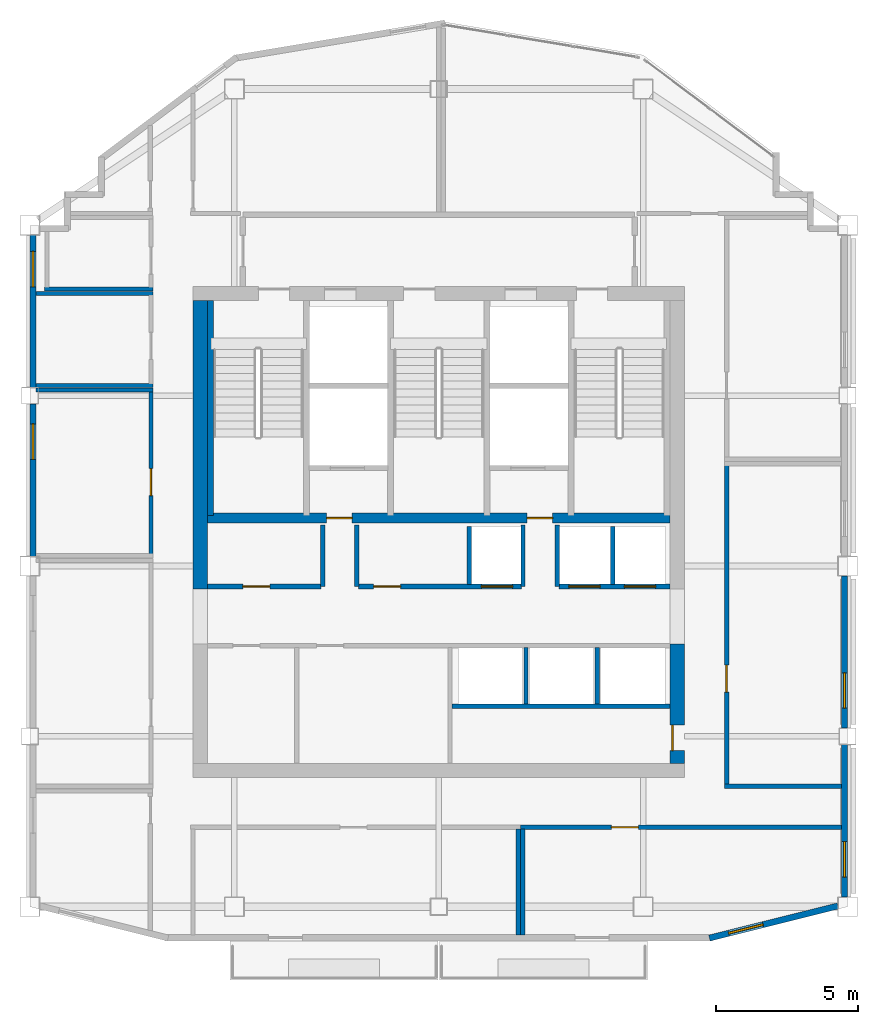
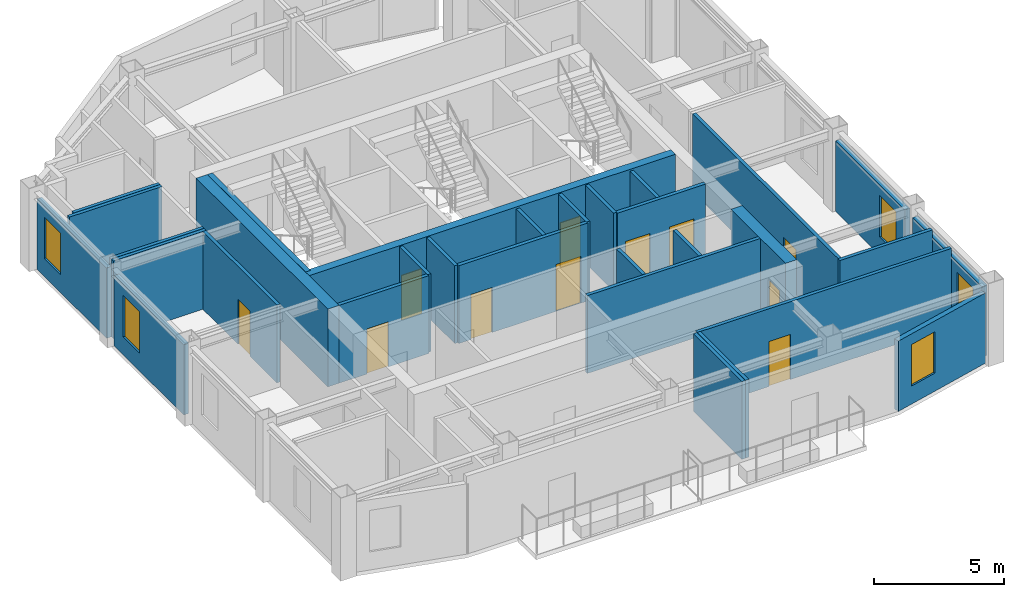
# One storey, part 5 of 8: 31 walls, 11 doors, 5 windows, 16 openings.
"""IFC4 building model written with IfcOpenShell, lengths in metres."""

from ifc_helpers import new_model, si_unit, direction, frame, frame_2d, origin, place, context, subcontext, project, spatial, rectangle, extrude, material, layer, layer_set, type_object, element, fill, save


model = new_model("IFC4")

# Units and contexts
model_context = context("Model", 3, precision=1e-05, world=origin(), true_north=direction((0.0, 1.0)))
body_context = subcontext(model_context, "Body", "Model", "MODEL_VIEW")
ifc_project = project(units=[si_unit("LENGTHUNIT", "METRE"), si_unit("AREAUNIT", "SQUARE_METRE"), si_unit("VOLUMEUNIT", "CUBIC_METRE"), si_unit("PLANEANGLEUNIT", "RADIAN"), si_unit("MASSUNIT", "GRAM", prefix="KILO")], contexts=[model_context])

# Site, building, storey
site_placement = place(None, origin())
site = spatial("IfcSite", under=ifc_project, at=site_placement, CompositionType="ELEMENT")
building_placement = place(site_placement, origin())
building = spatial("IfcBuilding", under=site, at=building_placement, Name="Haolan Belvedere Tower", CompositionType="ELEMENT")
storey_placement = place(building_placement, frame((0.0, 0.0, 309.5)))
storey = spatial("IfcBuildingStorey", under=building, at=storey_placement, Name="L78", CompositionType="ELEMENT", Elevation=309.5)

# Wall
ifc_material_1 = material(Name="Concrete C50/60", Category="concrete")
ifc_layer_1 = layer(ifc_material_1, 0.5, Name="Concrete C50/60")
ifc_layer_set_1 = layer_set([ifc_layer_1], Name="Concrete C50/60")
wall_type_1 = type_object("IfcWallType", Name="WL-CORE-500", PredefinedType="SHEAR", material=ifc_layer_set_1)
wall_1_placement = place(storey_placement, frame((30.0, 32.800048828125, 0.0), z_axis=(0.0, 0.0, 1.0), x_axis=(0.0, 1.0, 0.0)))
element("IfcWall", 1, at=wall_1_placement, inside=storey, type_object=wall_type_1, Name="L78 central core shear wall WN", PredefinedType="SHEAR", context=body_context, shape_type="SweptSolid", body=[
    extrude(rectangle(XDim=10.14990234375, YDim=0.5, at=frame_2d((5.074951171875, 0.0))), origin(), (0.0, 0.0, 1.0), 3.659912109375),
])

# Wall, opening, door
wall_2_placement = place(storey_placement, frame((46.800048828125, 26.64990234375, 0.0), z_axis=(0.0, 0.0, 1.0), x_axis=(0.0, 1.0, 0.0)))
wall_2 = element("IfcWall", 2, at=wall_2_placement, inside=storey, type_object=wall_type_1, Name="L78 central core shear wall ES", PredefinedType="SHEAR", context=body_context, shape_type="SweptSolid", body=[
    extrude(rectangle(XDim=4.2001953125, YDim=0.5, at=frame_2d((2.10009765625, 0.0))), origin(), (0.0, 0.0, 1.0), 3.659912109375),
])
opening_1_placement = place(wall_2_placement, frame((1.349853515625, 0.0, 0.0), z_axis=(0.0, 0.0, 1.0), x_axis=(-1.0, 0.0, 0.0)))
opening_1 = element("IfcOpeningElement", 3, at=opening_1_placement, cuts=wall_2, Name="Opening FD-05", PredefinedType="OPENING", context=body_context, shape_type="SweptSolid", body=[
    extrude(rectangle(XDim=0.89990234375, YDim=2.10009765625, at=frame_2d((0.449951171875, 1.050048828125))), frame((0.0, 0.260009765625, 0.0), z_axis=(0.0, -1.0, 0.0), x_axis=(1.0, 0.0, 0.0)), (0.0, 0.0, 1.0), 0.52001953125),
])
ifc_material_2 = material(Name="Galvanised fire-rated steel", Category="steel")
door_type_1 = type_object("IfcDoorType", Name="DR-FD60-900", OperationType="NOTDEFINED", PredefinedType="DOOR", material=ifc_material_2)
door_1_placement = place(opening_1_placement, origin())
door_1 = element("IfcDoor", 4, at=door_1_placement, inside=storey, type_object=door_type_1, Name="L78 door CD-L78-SCVE", OperationType="SINGLE_SWING_RIGHT", OverallHeight=2.10009765625, OverallWidth=0.89990234375, PredefinedType="DOOR", context=body_context, shape_type="SweptSolid", body=[
    extrude(rectangle(XDim=0.89990234375, YDim=2.10009765625, at=frame_2d((0.449951171875, 1.050048828125))), frame((0.0, -0.134765625, 0.0), z_axis=(0.0, -1.0, 0.0), x_axis=(1.0, 0.0, 0.0)), (0.0, 0.0, 1.0), 0.050048828125),
])
fill(opening_1, door_1)

# Wall, opening, window
ifc_material_3 = material(Name="Precast concrete C40/50", Category="concrete")
ifc_layer_2 = layer(ifc_material_3, 0.219970703125, Name="Precast concrete C40/50")
ifc_layer_set_2 = layer_set([ifc_layer_2], Name="Precast concrete C40/50")
wall_type_2 = type_object("IfcWallType", Name="WL-EXT-220", PredefinedType="SOLIDWALL", material=ifc_layer_set_2)
wall_3_placement = place(storey_placement, frame((47.93310546875, 20.49658203125, 0.0), z_axis=(0.0, 0.0, 1.0), x_axis=(0.970136341762, 0.242560257242, 0.0)))
wall_3 = element("IfcWall", 5, at=wall_3_placement, inside=storey, type_object=wall_type_2, Name="L78 pale-metal exterior spandrel wall 2.1", PredefinedType="SOLIDWALL", context=body_context, shape_type="SweptSolid", body=[
    extrude(rectangle(XDim=4.664306640625, YDim=0.219970703125, at=frame_2d((2.33203125, 0.0))), origin(), (0.0, 0.0, 1.0), 3.304931640625),
])
opening_2_placement = place(wall_3_placement, frame((0.699951171875, 0.0, 0.85009765625)))
opening_2 = element("IfcOpeningElement", 6, at=opening_2_placement, cuts=wall_3, Name="Opening W-04", PredefinedType="OPENING", context=body_context, shape_type="SweptSolid", body=[
    extrude(rectangle(XDim=1.25, YDim=1.949951171875, at=frame_2d((0.625, 0.97509765625))), frame((0.0, 0.119873046875, 0.0), z_axis=(0.0, -1.0, 0.0), x_axis=(1.0, 0.0, 0.0)), (0.0, 0.0, 1.0), 0.239990234375),
])
ifc_material_4 = material(Name="Anodised aluminium 6063-T6 and Low-E glass", Category="aluminium")
window_type = type_object("IfcWindowType", Name="WN-DECO-Z4", PartitioningType="SINGLE_PANEL", PredefinedType="WINDOW", material=ifc_material_4)
window_1_placement = place(opening_2_placement, origin())
window_1 = element("IfcWindow", 7, at=window_1_placement, inside=storey, type_object=window_type, Name="L78 Art Deco chevron window 1", OverallHeight=1.949951171875, OverallWidth=1.25, PartitioningType="SINGLE_PANEL", PredefinedType="WINDOW", context=body_context, shape_type="SweptSolid", body=[
    extrude(rectangle(XDim=1.25, YDim=1.949951171875, at=frame_2d((0.625, 0.97509765625))), frame((0.0, 0.030029296875, 0.0), z_axis=(0.0, -1.0, 0.0), x_axis=(1.0, 0.0, 0.0)), (0.0, 0.0, 1.0), 0.06005859375),
])
fill(opening_2, window_1)

wall_4_placement = place(storey_placement, frame((52.68994140625, 21.94189453125, 0.0), z_axis=(0.0, 0.0, 1.0), x_axis=(0.0, 1.0, 0.0)))
wall_4 = element("IfcWall", 8, at=wall_4_placement, inside=storey, type_object=wall_type_2, Name="L78 pale-metal exterior spandrel wall 3.1", PredefinedType="SOLIDWALL", context=body_context, shape_type="SweptSolid", body=[
    extrude(rectangle(XDim=5.3662109375, YDim=0.219970703125, at=frame_2d((2.68310546875, 0.0))), origin(), (0.0, 0.0, 1.0), 3.304931640625),
])
opening_3_placement = place(wall_4_placement, frame((0.699951171875, 0.0, 0.85009765625)))
opening_3 = element("IfcOpeningElement", 9, at=opening_3_placement, cuts=wall_4, Name="Opening W-04", PredefinedType="OPENING", context=body_context, shape_type="SweptSolid", body=[
    extrude(rectangle(XDim=1.25, YDim=1.949951171875, at=frame_2d((0.625, 0.97509765625))), frame((0.0, 0.119873046875, 0.0), z_axis=(0.0, -1.0, 0.0), x_axis=(1.0, 0.0, 0.0)), (0.0, 0.0, 1.0), 0.239990234375),
])
window_2_placement = place(opening_3_placement, origin())
window_2 = element("IfcWindow", 10, at=window_2_placement, inside=storey, type_object=window_type, Name="L78 Art Deco chevron window 1", OverallHeight=1.949951171875, OverallWidth=1.25, PartitioningType="SINGLE_PANEL", PredefinedType="WINDOW", context=body_context, shape_type="SweptSolid", body=[
    extrude(rectangle(XDim=1.25, YDim=1.949951171875, at=frame_2d((0.625, 0.97509765625))), frame((0.0, 0.030029296875, 0.0), z_axis=(0.0, -1.0, 0.0), x_axis=(1.0, 0.0, 0.0)), (0.0, 0.0, 1.0), 0.06005859375),
])
fill(opening_3, window_2)

wall_5_placement = place(storey_placement, frame((52.68994140625, 27.89208984375, 0.0), z_axis=(0.0, 0.0, 1.0), x_axis=(0.0, 1.0, 0.0)))
wall_5 = element("IfcWall", 11, at=wall_5_placement, inside=storey, type_object=wall_type_2, Name="L78 pale-metal exterior spandrel wall 3.2", PredefinedType="SOLIDWALL", context=body_context, shape_type="SweptSolid", body=[
    extrude(rectangle(XDim=5.365966796875, YDim=0.219970703125, at=frame_2d((2.68310546875, 0.0))), origin(), (0.0, 0.0, 1.0), 3.304931640625),
])
opening_4_placement = place(wall_5_placement, frame((0.699951171875, 0.0, 0.85009765625)))
opening_4 = element("IfcOpeningElement", 12, at=opening_4_placement, cuts=wall_5, Name="Opening W-04", PredefinedType="OPENING", context=body_context, shape_type="SweptSolid", body=[
    extrude(rectangle(XDim=1.25, YDim=1.949951171875, at=frame_2d((0.625, 0.97509765625))), frame((0.0, 0.119873046875, 0.0), z_axis=(0.0, -1.0, 0.0), x_axis=(1.0, 0.0, 0.0)), (0.0, 0.0, 1.0), 0.239990234375),
])
window_3_placement = place(opening_4_placement, origin())
window_3 = element("IfcWindow", 13, at=window_3_placement, inside=storey, type_object=window_type, Name="L78 Art Deco chevron window 1", OverallHeight=1.949951171875, OverallWidth=1.25, PartitioningType="SINGLE_PANEL", PredefinedType="WINDOW", context=body_context, shape_type="SweptSolid", body=[
    extrude(rectangle(XDim=1.25, YDim=1.949951171875, at=frame_2d((0.625, 0.97509765625))), frame((0.0, 0.030029296875, 0.0), z_axis=(0.0, -1.0, 0.0), x_axis=(1.0, 0.0, 0.0)), (0.0, 0.0, 1.0), 0.06005859375),
])
fill(opening_4, window_3)

wall_6_placement = place(storey_placement, frame((24.110107421875, 45.258056640625, 0.0), z_axis=(0.0, 0.0, 1.0), x_axis=(0.0, -1.0, 0.0)))
wall_6 = element("IfcWall", 14, at=wall_6_placement, inside=storey, type_object=wall_type_2, Name="L78 pale-metal exterior spandrel wall 16.1", PredefinedType="SOLIDWALL", context=body_context, shape_type="SweptSolid", body=[
    extrude(rectangle(XDim=5.365966796875, YDim=0.219970703125, at=frame_2d((2.68310546875, 0.0))), origin(), (0.0, 0.0, 1.0), 3.304931640625),
])
opening_5_placement = place(wall_6_placement, frame((0.572998046875, 0.0, 0.85009765625)))
opening_5 = element("IfcOpeningElement", 15, at=opening_5_placement, cuts=wall_6, Name="Opening W-04", PredefinedType="OPENING", context=body_context, shape_type="SweptSolid", body=[
    extrude(rectangle(XDim=1.25, YDim=1.949951171875, at=frame_2d((0.625, 0.97509765625))), frame((0.0, 0.119873046875, 0.0), z_axis=(0.0, -1.0, 0.0), x_axis=(1.0, 0.0, 0.0)), (0.0, 0.0, 1.0), 0.239990234375),
])
window_4_placement = place(opening_5_placement, origin())
window_4 = element("IfcWindow", 16, at=window_4_placement, inside=storey, type_object=window_type, Name="L78 Art Deco chevron window 1", OverallHeight=1.949951171875, OverallWidth=1.25, PartitioningType="SINGLE_PANEL", PredefinedType="WINDOW", context=body_context, shape_type="SweptSolid", body=[
    extrude(rectangle(XDim=1.25, YDim=1.949951171875, at=frame_2d((0.625, 0.97509765625))), frame((0.0, 0.030029296875, 0.0), z_axis=(0.0, -1.0, 0.0), x_axis=(1.0, 0.0, 0.0)), (0.0, 0.0, 1.0), 0.06005859375),
])
fill(opening_5, window_4)

wall_7_placement = place(storey_placement, frame((24.110107421875, 39.30810546875, 0.0), z_axis=(0.0, 0.0, 1.0), x_axis=(0.0, -1.0, 0.0)))
wall_7 = element("IfcWall", 17, at=wall_7_placement, inside=storey, type_object=wall_type_2, Name="L78 pale-metal exterior spandrel wall 16.2", PredefinedType="SOLIDWALL", context=body_context, shape_type="SweptSolid", body=[
    extrude(rectangle(XDim=5.3662109375, YDim=0.219970703125, at=frame_2d((2.68310546875, 0.0))), origin(), (0.0, 0.0, 1.0), 3.304931640625),
])
opening_6_placement = place(wall_7_placement, frame((0.699951171875, 0.0, 0.85009765625)))
opening_6 = element("IfcOpeningElement", 18, at=opening_6_placement, cuts=wall_7, Name="Opening W-04", PredefinedType="OPENING", context=body_context, shape_type="SweptSolid", body=[
    extrude(rectangle(XDim=1.25, YDim=1.949951171875, at=frame_2d((0.625, 0.97509765625))), frame((0.0, 0.119873046875, 0.0), z_axis=(0.0, -1.0, 0.0), x_axis=(1.0, 0.0, 0.0)), (0.0, 0.0, 1.0), 0.239990234375),
])
window_5_placement = place(opening_6_placement, origin())
window_5 = element("IfcWindow", 19, at=window_5_placement, inside=storey, type_object=window_type, Name="L78 Art Deco chevron window 1", OverallHeight=1.949951171875, OverallWidth=1.25, PartitioningType="SINGLE_PANEL", PredefinedType="WINDOW", context=body_context, shape_type="SweptSolid", body=[
    extrude(rectangle(XDim=1.25, YDim=1.949951171875, at=frame_2d((0.625, 0.97509765625))), frame((0.0, 0.030029296875, 0.0), z_axis=(0.0, -1.0, 0.0), x_axis=(1.0, 0.0, 0.0)), (0.0, 0.0, 1.0), 0.06005859375),
])
fill(opening_6, window_5)

# Walls
ifc_material_5 = material(Name="Double gypsum acoustic stud partition", Category="masonry")
ifc_layer_3 = layer(ifc_material_5, 0.14990234375, Name="Double gypsum acoustic stud partition")
ifc_layer_set_3 = layer_set([ifc_layer_3], Name="Double gypsum acoustic stud partition")
wall_type_3 = type_object("IfcWallType", Name="WL-PART-150", PredefinedType="PARTITIONING", material=ifc_layer_set_3)
wall_8_placement = place(storey_placement, frame((38.860107421875, 28.659912109375, 0.0), z_axis=(0.0, 0.0, 1.0), x_axis=(1.0, 0.0, 0.0)))
element("IfcWall", 20, at=wall_8_placement, inside=storey, type_object=wall_type_3, Name="L78 interior partition IW-L78-SSTRIP-E", PredefinedType="PARTITIONING", context=body_context, shape_type="SweptSolid", body=[
    extrude(rectangle(XDim=7.68994140625, YDim=0.14990234375, at=frame_2d((3.844970703125, 0.0))), origin(), (0.0, 0.0, 1.0), 3.659912109375),
])
wall_9_placement = place(storey_placement, frame((24.2119140625, 39.800048828125, 0.0), z_axis=(0.0, 0.0, 1.0), x_axis=(1.0, 0.0, 0.0)))
element("IfcWall", 21, at=wall_9_placement, inside=storey, type_object=wall_type_3, Name="L78 interior partition IW-L78-PH-TERW-N", PredefinedType="PARTITIONING", context=body_context, shape_type="SweptSolid", body=[
    extrude(rectangle(XDim=4.128173828125, YDim=0.14990234375, at=frame_2d((2.06396484375, 0.0))), origin(), (0.0, 0.0, 1.0), 3.659912109375),
])

# Wall, opening, door
wall_10_placement = place(storey_placement, frame((28.260009765625, 34.02001953125, 0.0), z_axis=(0.0, 0.0, 1.0), x_axis=(0.0, 1.0, 0.0)))
wall_10 = element("IfcWall", 22, at=wall_10_placement, inside=storey, type_object=wall_type_3, Name="L78 interior partition IW-L78-PH-TERW-E", PredefinedType="PARTITIONING", context=body_context, shape_type="SweptSolid", body=[
    extrude(rectangle(XDim=5.719970703125, YDim=0.14990234375, at=frame_2d((2.85986328125, 0.0))), origin(), (0.0, 0.0, 1.0), 3.659912109375),
])
opening_7_placement = place(wall_10_placement, frame((3.010009765625, 0.0, 0.0), z_axis=(0.0, 0.0, 1.0), x_axis=(-1.0, 0.0, 0.0)))
opening_7 = element("IfcOpeningElement", 23, at=opening_7_placement, cuts=wall_10, Name="Opening ID-03", PredefinedType="OPENING", context=body_context, shape_type="SweptSolid", body=[
    extrude(rectangle(XDim=0.949951171875, YDim=2.1201171875, at=frame_2d((0.47509765625, 1.06005859375))), frame((0.0, 0.0849609375, 0.0), z_axis=(0.0, -1.0, 0.0), x_axis=(1.0, 0.0, 0.0)), (0.0, 0.0, 1.0), 0.169921875),
])
ifc_material_6 = material(Name="Painted solid-core timber", Category="wood")
door_type_2 = type_object("IfcDoorType", Name="DR-INT-950", OperationType="NOTDEFINED", PredefinedType="DOOR", material=ifc_material_6)
door_2_placement = place(opening_7_placement, origin())
door_2 = element("IfcDoor", 24, at=door_2_placement, inside=storey, type_object=door_type_2, Name="L78 door ID-L78-PH-TERW", OperationType="SINGLE_SWING_RIGHT", OverallHeight=2.1201171875, OverallWidth=0.949951171875, PredefinedType="DOOR", context=body_context, shape_type="SweptSolid", body=[
    extrude(rectangle(XDim=0.949951171875, YDim=2.1201171875, at=frame_2d((0.47509765625, 1.06005859375))), frame((0.0, 0.02490234375, 0.0), z_axis=(0.0, -1.0, 0.0), x_axis=(1.0, 0.0, 0.0)), (0.0, 0.0, 1.0), 0.050048828125),
])
fill(opening_7, door_2)

# Walls
for number, where, z_axis, x_axis, name in (
    (25, (24.2119140625, 43.199951171875, 0.0), (0.0, 0.0, 1.0), (1.0, 0.0, 0.0), "L78 interior partition IW-L78-PH-STYW-N"),
    (26, (24.2119140625, 39.9599609375, 0.0), (0.0, 0.0, 1.0), (1.0, 0.0, 0.0), "L78 interior partition IW-L78-PH-STYW-S"),
):
    element("IfcWall", number, at=place(storey_placement, frame(where, z_axis=z_axis, x_axis=x_axis)), inside=storey, type_object=wall_type_3, Name=name, PredefinedType="PARTITIONING", context=body_context, shape_type="SweptSolid", body=[
        extrude(rectangle(XDim=4.128173828125, YDim=0.14990234375, at=frame_2d((2.06396484375, 0.0))), origin(), (0.0, 0.0, 1.0), 3.659912109375),
    ])
wall_11_placement = place(storey_placement, frame((24.52001953125, 43.360107421875, 0.0), z_axis=(0.0, 0.0, 1.0), x_axis=(1.0, 0.0, 0.0)))
element("IfcWall", 27, at=wall_11_placement, inside=storey, type_object=wall_type_3, Name="L78 interior partition IW-L78-AWC-S", PredefinedType="PARTITIONING", context=body_context, shape_type="SweptSolid", body=[
    extrude(rectangle(XDim=3.820068359375, YDim=0.14990234375, at=frame_2d((1.91015625, 0.0))), origin(), (0.0, 0.0, 1.0), 3.659912109375),
])
wall_12_placement = place(storey_placement, frame((48.4599609375, 25.840087890625, 0.0), z_axis=(0.0, 0.0, 1.0), x_axis=(1.0, 0.0, 0.0)))
element("IfcWall", 28, at=wall_12_placement, inside=storey, type_object=wall_type_3, Name="L78 interior partition IW-L78-PH-BRDE-S", PredefinedType="PARTITIONING", context=body_context, shape_type="SweptSolid", body=[
    extrude(rectangle(XDim=4.1279296875, YDim=0.14990234375, at=frame_2d((2.06396484375, 0.0))), origin(), (0.0, 0.0, 1.0), 3.659912109375),
])

# Wall, opening, door
wall_13_placement = place(storey_placement, frame((48.5400390625, 25.89990234375, 0.0), z_axis=(0.0, 0.0, 1.0), x_axis=(0.0, 1.0, 0.0)))
wall_13 = element("IfcWall", 29, at=wall_13_placement, inside=storey, type_object=wall_type_3, Name="L78 interior partition IW-L78-PH-BRDE-W", PredefinedType="PARTITIONING", context=body_context, shape_type="SweptSolid", body=[
    extrude(rectangle(XDim=11.239990234375, YDim=0.14990234375, at=frame_2d((5.6201171875, 0.0))), origin(), (0.0, 0.0, 1.0), 3.659912109375),
])
opening_8_placement = place(wall_13_placement, frame((3.260009765625, 0.0, 0.0)))
opening_8 = element("IfcOpeningElement", 30, at=opening_8_placement, cuts=wall_13, Name="Opening ID-03", PredefinedType="OPENING", context=body_context, shape_type="SweptSolid", body=[
    extrude(rectangle(XDim=0.949951171875, YDim=2.1201171875, at=frame_2d((0.47509765625, 1.06005859375))), frame((0.0, 0.0849609375, 0.0), z_axis=(0.0, -1.0, 0.0), x_axis=(1.0, 0.0, 0.0)), (0.0, 0.0, 1.0), 0.169921875),
])
door_3_placement = place(opening_8_placement, origin())
door_3 = element("IfcDoor", 31, at=door_3_placement, inside=storey, type_object=door_type_2, Name="L78 door ID-L78-PH-BRDE", OperationType="SINGLE_SWING_RIGHT", OverallHeight=2.1201171875, OverallWidth=0.949951171875, PredefinedType="DOOR", context=body_context, shape_type="SweptSolid", body=[
    extrude(rectangle(XDim=0.949951171875, YDim=2.1201171875, at=frame_2d((0.47509765625, 1.06005859375))), frame((0.0, 0.02490234375, 0.0), z_axis=(0.0, -1.0, 0.0), x_axis=(1.0, 0.0, 0.0)), (0.0, 0.0, 1.0), 0.050048828125),
])
fill(opening_8, door_3)

# Wall
wall_14_placement = place(storey_placement, frame((41.199951171875, 20.612060546875, 0.0), z_axis=(0.0, 0.0, 1.0), x_axis=(0.0, 1.0, 0.0)))
element("IfcWall", 32, at=wall_14_placement, inside=storey, type_object=wall_type_3, Name="L78 interior partition IW-L78-PHS1-E", PredefinedType="PARTITIONING", context=body_context, shape_type="SweptSolid", body=[
    extrude(rectangle(XDim=3.72802734375, YDim=0.14990234375, at=frame_2d((1.864013671875, 0.0))), origin(), (0.0, 0.0, 1.0), 3.659912109375),
])

# Wall, opening, door
wall_15_placement = place(storey_placement, frame((41.281982421875, 24.39990234375, 0.0), z_axis=(0.0, 0.0, 1.0), x_axis=(1.0, 0.0, 0.0)))
wall_15 = element("IfcWall", 33, at=wall_15_placement, inside=storey, type_object=wall_type_3, Name="L78 interior partition IW-L78-PH-BNQ-N", PredefinedType="PARTITIONING", context=body_context, shape_type="SweptSolid", body=[
    extrude(rectangle(XDim=11.305908203125, YDim=0.14990234375, at=frame_2d((5.65283203125, 0.0))), origin(), (0.0, 0.0, 1.0), 3.659912109375),
])
opening_9_placement = place(wall_15_placement, frame((4.14794921875, 0.0, 0.0), z_axis=(0.0, 0.0, 1.0), x_axis=(-1.0, 0.0, 0.0)))
opening_9 = element("IfcOpeningElement", 34, at=opening_9_placement, cuts=wall_15, Name="Opening ID-03", PredefinedType="OPENING", context=body_context, shape_type="SweptSolid", body=[
    extrude(rectangle(XDim=0.949951171875, YDim=2.1201171875, at=frame_2d((0.47509765625, 1.06005859375))), frame((0.0, 0.0849609375, 0.0), z_axis=(0.0, -1.0, 0.0), x_axis=(1.0, 0.0, 0.0)), (0.0, 0.0, 1.0), 0.169921875),
])
door_4_placement = place(opening_9_placement, origin())
door_4 = element("IfcDoor", 35, at=door_4_placement, inside=storey, type_object=door_type_2, Name="L78 door ID-L78-PH-BNQ", OperationType="SINGLE_SWING_RIGHT", OverallHeight=2.1201171875, OverallWidth=0.949951171875, PredefinedType="DOOR", context=body_context, shape_type="SweptSolid", body=[
    extrude(rectangle(XDim=0.949951171875, YDim=2.1201171875, at=frame_2d((0.47509765625, 1.06005859375))), frame((0.0, 0.02490234375, 0.0), z_axis=(0.0, -1.0, 0.0), x_axis=(1.0, 0.0, 0.0)), (0.0, 0.0, 1.0), 0.050048828125),
])
fill(opening_9, door_4)

# Walls
wall_16_placement = place(storey_placement, frame((41.360107421875, 20.612060546875, 0.0), z_axis=(0.0, 0.0, 1.0), x_axis=(0.0, 1.0, 0.0)))
element("IfcWall", 36, at=wall_16_placement, inside=storey, type_object=wall_type_3, Name="L78 interior partition IW-L78-PH-BNQ-W", PredefinedType="PARTITIONING", context=body_context, shape_type="SweptSolid", body=[
    extrude(rectangle(XDim=3.72802734375, YDim=0.14990234375, at=frame_2d((1.864013671875, 0.0))), origin(), (0.0, 0.0, 1.0), 3.659912109375),
])
ifc_material_7 = material(Name="Gypsum fire shaftwall assembly", Category="masonry")
ifc_layer_4 = layer(ifc_material_7, 0.1650390625, Name="Gypsum fire shaftwall assembly")
ifc_layer_set_4 = layer_set([ifc_layer_4], Name="Gypsum fire shaftwall assembly")
wall_type_4 = type_object("IfcWallType", Name="WL-SHAFT-160", PredefinedType="SOLIDWALL", material=ifc_layer_set_4)
for number, where, z_axis, x_axis, name in (
    (37, (34.31005859375, 32.8798828125, 0.0), (0.0, 0.0, 1.0), (0.0, 1.0, 0.0), "L78 interior partition IW-L78-SVP-W-SV1"),
    (38, (35.510009765625, 32.8798828125, 0.0), (0.0, 0.0, 1.0), (0.0, 1.0, 0.0), "L78 interior partition IW-L78-SVP-E-SV1"),
    (39, (41.3701171875, 32.8798828125, 0.0), (0.0, 0.0, 1.0), (0.0, 1.0, 0.0), "L78 interior partition IW-L78-SVP-W-SV2"),
    (40, (42.570068359375, 32.8798828125, 0.0), (0.0, 0.0, 1.0), (0.0, 1.0, 0.0), "L78 interior partition IW-L78-SVP-E-SV2"),
):
    element("IfcWall", number, at=place(storey_placement, frame(where, z_axis=z_axis, x_axis=x_axis)), inside=storey, type_object=wall_type_4, Name=name, PredefinedType="SOLIDWALL", context=body_context, shape_type="SweptSolid", body=[
        extrude(rectangle(XDim=2.170166015625, YDim=0.14990234375, at=frame_2d((1.0849609375, 0.0))), origin(), (0.0, 0.0, 1.0), 3.659912109375),
    ])

# Wall, opening, door
wall_17_placement = place(storey_placement, frame((30.25, 32.8798828125, 0.0), z_axis=(0.0, 0.0, 1.0), x_axis=(1.0, 0.0, 0.0)))
wall_17 = element("IfcWall", 41, at=wall_17_placement, inside=storey, type_object=wall_type_4, Name="L78 interior partition IW-L78-ROW-PN1", PredefinedType="SOLIDWALL", context=body_context, shape_type="SweptSolid", body=[
    extrude(rectangle(XDim=4.0, YDim=0.159912109375, at=frame_2d((2.0, 0.0))), origin(), (0.0, 0.0, 1.0), 3.659912109375),
])
opening_10_placement = place(wall_17_placement, frame((2.199951171875, 0.0, 0.0), z_axis=(0.0, 0.0, 1.0), x_axis=(-1.0, 0.0, 0.0)))
opening_10 = element("IfcOpeningElement", 42, at=opening_10_placement, cuts=wall_17, Name="Opening ID-03", PredefinedType="OPENING", context=body_context, shape_type="SweptSolid", body=[
    extrude(rectangle(XDim=0.949951171875, YDim=2.1201171875, at=frame_2d((0.47509765625, 1.06005859375))), frame((0.0, 0.08984375, 0.0), z_axis=(0.0, -1.0, 0.0), x_axis=(1.0, 0.0, 0.0)), (0.0, 0.0, 1.0), 0.179931640625),
])
door_5_placement = place(opening_10_placement, origin())
door_5 = element("IfcDoor", 43, at=door_5_placement, inside=storey, type_object=door_type_2, Name="L78 door ID-L78-CD-RPLW", OperationType="SINGLE_SWING_LEFT", OverallHeight=2.1201171875, OverallWidth=0.949951171875, PredefinedType="DOOR", context=body_context, shape_type="SweptSolid", body=[
    extrude(rectangle(XDim=0.949951171875, YDim=2.1201171875, at=frame_2d((0.47509765625, 1.06005859375))), frame((0.0, 0.02490234375, 0.0), z_axis=(0.0, -1.0, 0.0), x_axis=(1.0, 0.0, 0.0)), (0.0, 0.0, 1.0), 0.050048828125),
])
fill(opening_10, door_5)

# Wall, openings, doors
wall_18_placement = place(storey_placement, frame((35.570068359375, 32.8798828125, 0.0), z_axis=(0.0, 0.0, 1.0), x_axis=(1.0, 0.0, 0.0)))
wall_18 = element("IfcWall", 44, at=wall_18_placement, inside=storey, type_object=wall_type_4, Name="L78 interior partition IW-L78-ROW-PN2", PredefinedType="SOLIDWALL", context=body_context, shape_type="SweptSolid", body=[
    extrude(rectangle(XDim=5.739990234375, YDim=0.159912109375, at=frame_2d((2.8701171875, 0.0))), origin(), (0.0, 0.0, 1.0), 3.659912109375),
])
opening_11_placement = place(wall_18_placement, frame((1.489990234375, 0.0, 0.0), z_axis=(0.0, 0.0, 1.0), x_axis=(-1.0, 0.0, 0.0)))
opening_11 = element("IfcOpeningElement", 45, at=opening_11_placement, cuts=wall_18, Name="Opening ID-03", PredefinedType="OPENING", context=body_context, shape_type="SweptSolid", body=[
    extrude(rectangle(XDim=0.949951171875, YDim=2.1201171875, at=frame_2d((0.47509765625, 1.06005859375))), frame((0.0, 0.08984375, 0.0), z_axis=(0.0, -1.0, 0.0), x_axis=(1.0, 0.0, 0.0)), (0.0, 0.0, 1.0), 0.179931640625),
])
opening_12_placement = place(wall_18_placement, frame((5.43017578125, 0.0, 0.0), z_axis=(0.0, 0.0, 1.0), x_axis=(-1.0, 0.0, 0.0)))
opening_12 = element("IfcOpeningElement", 46, at=opening_12_placement, cuts=wall_18, Name="Opening LD-01", PredefinedType="OPENING", context=body_context, shape_type="SweptSolid", body=[
    extrude(rectangle(XDim=1.10009765625, YDim=2.199951171875, at=frame_2d((0.550048828125, 1.10009765625))), frame((0.0, 0.08984375, 0.0), z_axis=(0.0, -1.0, 0.0), x_axis=(1.0, 0.0, 0.0)), (0.0, 0.0, 1.0), 0.179931640625),
])
door_6_placement = place(opening_11_placement, origin())
door_6 = element("IfcDoor", 47, at=door_6_placement, inside=storey, type_object=door_type_2, Name="L78 door ID-L78-CD-RPLE", OperationType="SINGLE_SWING_RIGHT", OverallHeight=2.1201171875, OverallWidth=0.949951171875, PredefinedType="DOOR", context=body_context, shape_type="SweptSolid", body=[
    extrude(rectangle(XDim=0.949951171875, YDim=2.1201171875, at=frame_2d((0.47509765625, 1.06005859375))), frame((0.0, 0.02490234375, 0.0), z_axis=(0.0, -1.0, 0.0), x_axis=(1.0, 0.0, 0.0)), (0.0, 0.0, 1.0), 0.050048828125),
])
fill(opening_11, door_6)
ifc_material_8 = material(Name="Brushed champagne stainless steel 316L", Category="steel")
door_type_3 = type_object("IfcDoorType", Name="DR-LIFT-1100", OperationType="SLIDING_TO_LEFT", PredefinedType="DOOR", material=ifc_material_8)
door_7_placement = place(opening_12_placement, origin())
door_7 = element("IfcDoor", 48, at=door_7_placement, inside=storey, type_object=door_type_3, Name="L78 door ID-L78-LD-PH1", OperationType="SLIDING_TO_RIGHT", OverallHeight=2.199951171875, OverallWidth=1.10009765625, PredefinedType="DOOR", context=body_context, shape_type="SweptSolid", body=[
    extrude(rectangle(XDim=1.10009765625, YDim=2.199951171875, at=frame_2d((0.550048828125, 1.10009765625))), frame((0.0, 0.02490234375, 0.0), z_axis=(0.0, -1.0, 0.0), x_axis=(1.0, 0.0, 0.0)), (0.0, 0.0, 1.0), 0.050048828125),
])
fill(opening_12, door_7)

wall_19_placement = place(storey_placement, frame((42.6298828125, 32.8798828125, 0.0), z_axis=(0.0, 0.0, 1.0), x_axis=(1.0, 0.0, 0.0)))
wall_19 = element("IfcWall", 49, at=wall_19_placement, inside=storey, type_object=wall_type_4, Name="L78 interior partition IW-L78-ROW-PN3", PredefinedType="SOLIDWALL", context=body_context, shape_type="SweptSolid", body=[
    extrude(rectangle(XDim=3.920166015625, YDim=0.159912109375, at=frame_2d((1.9599609375, 0.0))), origin(), (0.0, 0.0, 1.0), 3.659912109375),
])
opening_13_placement = place(wall_19_placement, frame((1.4501953125, 0.0, 0.0), z_axis=(0.0, 0.0, 1.0), x_axis=(-1.0, 0.0, 0.0)))
opening_13 = element("IfcOpeningElement", 50, at=opening_13_placement, cuts=wall_19, Name="Opening LD-01", PredefinedType="OPENING", context=body_context, shape_type="SweptSolid", body=[
    extrude(rectangle(XDim=1.10009765625, YDim=2.199951171875, at=frame_2d((0.550048828125, 1.10009765625))), frame((0.0, 0.08984375, 0.0), z_axis=(0.0, -1.0, 0.0), x_axis=(1.0, 0.0, 0.0)), (0.0, 0.0, 1.0), 0.179931640625),
])
opening_14_placement = place(wall_19_placement, frame((3.41015625, 0.0, 0.0), z_axis=(0.0, 0.0, 1.0), x_axis=(-1.0, 0.0, 0.0)))
opening_14 = element("IfcOpeningElement", 51, at=opening_14_placement, cuts=wall_19, Name="Opening LD-01", PredefinedType="OPENING", context=body_context, shape_type="SweptSolid", body=[
    extrude(rectangle(XDim=1.10009765625, YDim=2.199951171875, at=frame_2d((0.550048828125, 1.10009765625))), frame((0.0, 0.08984375, 0.0), z_axis=(0.0, -1.0, 0.0), x_axis=(1.0, 0.0, 0.0)), (0.0, 0.0, 1.0), 0.179931640625),
])
door_8_placement = place(opening_13_placement, origin())
door_8 = element("IfcDoor", 52, at=door_8_placement, inside=storey, type_object=door_type_3, Name="L78 door ID-L78-LD-PH2", OperationType="SLIDING_TO_RIGHT", OverallHeight=2.199951171875, OverallWidth=1.10009765625, PredefinedType="DOOR", context=body_context, shape_type="SweptSolid", body=[
    extrude(rectangle(XDim=1.10009765625, YDim=2.199951171875, at=frame_2d((0.550048828125, 1.10009765625))), frame((0.0, 0.02490234375, 0.0), z_axis=(0.0, -1.0, 0.0), x_axis=(1.0, 0.0, 0.0)), (0.0, 0.0, 1.0), 0.050048828125),
])
fill(opening_13, door_8)
door_9_placement = place(opening_14_placement, origin())
door_9 = element("IfcDoor", 53, at=door_9_placement, inside=storey, type_object=door_type_3, Name="L78 door ID-L78-LD-PH3", OperationType="SLIDING_TO_RIGHT", OverallHeight=2.199951171875, OverallWidth=1.10009765625, PredefinedType="DOOR", context=body_context, shape_type="SweptSolid", body=[
    extrude(rectangle(XDim=1.10009765625, YDim=2.199951171875, at=frame_2d((0.550048828125, 1.10009765625))), frame((0.0, 0.02490234375, 0.0), z_axis=(0.0, -1.0, 0.0), x_axis=(1.0, 0.0, 0.0)), (0.0, 0.0, 1.0), 0.050048828125),
])
fill(opening_14, door_9)

# Walls
for number, where, z_axis, x_axis, name in (
    (54, (39.469970703125, 32.949951171875, 0.0), (0.0, 0.0, 1.0), (0.0, 1.0, 0.0), "L78 interior partition IW-L78-DIV-PL4R"),
    (55, (44.530029296875, 32.949951171875, 0.0), (0.0, 0.0, 1.0), (0.0, 1.0, 0.0), "L78 interior partition IW-L78-DIV-PH2"),
):
    element("IfcWall", number, at=place(storey_placement, frame(where, z_axis=z_axis, x_axis=x_axis)), inside=storey, type_object=wall_type_4, Name=name, PredefinedType="SOLIDWALL", context=body_context, shape_type="SweptSolid", body=[
        extrude(rectangle(XDim=2.050048828125, YDim=0.14990234375, at=frame_2d((1.02490234375, 0.0))), origin(), (0.0, 0.0, 1.0), 3.659912109375),
    ])
for number, where, z_axis, x_axis, name in (
    (56, (41.469970703125, 28.75, 0.0), (0.0, 0.0, 1.0), (0.0, 1.0, 0.0), "L78 interior partition IW-L78-DIV-OB1"),
    (57, (43.97998046875, 28.75, 0.0), (0.0, 0.0, 1.0), (0.0, 1.0, 0.0), "L78 interior partition IW-L78-DIV-OB2"),
):
    element("IfcWall", number, at=place(storey_placement, frame(where, z_axis=z_axis, x_axis=x_axis)), inside=storey, type_object=wall_type_4, Name=name, PredefinedType="SOLIDWALL", context=body_context, shape_type="SweptSolid", body=[
        extrude(rectangle(XDim=1.985107421875, YDim=0.14990234375, at=frame_2d((0.99267578125, 0.0))), origin(), (0.0, 0.0, 1.0), 3.659912109375),
    ])
ifc_layer_5 = layer(ifc_material_1, 0.219970703125, Name="Concrete C50/60")
ifc_layer_set_5 = layer_set([ifc_layer_5], Name="Concrete C50/60")
wall_type_5 = type_object("IfcWallType", Name="WL-STAIR-220", PredefinedType="SHEAR", material=ifc_layer_set_5)
wall_20_placement = place(storey_placement, frame((30.362060546875, 35.389892578125, 0.0), z_axis=(0.0, 0.0, 1.0), x_axis=(0.0, 1.0, 0.0)))
element("IfcWall", 58, at=wall_20_placement, inside=storey, type_object=wall_type_5, Name="L78 structural stair core wall ST1W", PredefinedType="SHEAR", context=body_context, shape_type="SweptSolid", body=[
    extrude(rectangle(XDim=7.56005859375, YDim=0.219970703125, at=frame_2d((3.780029296875, 0.0))), origin(), (0.0, 0.0, 1.0), 3.659912109375),
])

# Wall, openings, doors
ifc_material_9 = material(Name="Concrete C60/75", Category="concrete")
ifc_layer_6 = layer(ifc_material_9, 0.360107421875, Name="Concrete C60/75")
ifc_layer_set_6 = layer_set([ifc_layer_6], Name="Concrete C60/75")
wall_type_6 = type_object("IfcWallType", Name="WL-WEB-350", PredefinedType="SHEAR", material=ifc_layer_set_6)
wall_21_placement = place(storey_placement, frame((30.25, 35.2900390625, 0.0), z_axis=(0.0, 0.0, 1.0), x_axis=(1.0, 0.0, 0.0)))
wall_21 = element("IfcWall", 59, at=wall_21_placement, inside=storey, type_object=wall_type_6, Name="L78 central core internal shear web", PredefinedType="SHEAR", context=body_context, shape_type="SweptSolid", body=[
    extrude(rectangle(XDim=16.300048828125, YDim=0.360107421875, at=frame_2d((8.14990234375, 0.0))), origin(), (0.0, 0.0, 1.0), 3.659912109375),
])
opening_15_placement = place(wall_21_placement, frame((5.099853515625, 0.0, 0.0), z_axis=(0.0, 0.0, 1.0), x_axis=(-1.0, 0.0, 0.0)))
opening_15 = element("IfcOpeningElement", 60, at=opening_15_placement, cuts=wall_21, Name="Opening FD-05", PredefinedType="OPENING", context=body_context, shape_type="SweptSolid", body=[
    extrude(rectangle(XDim=0.89990234375, YDim=2.10009765625, at=frame_2d((0.449951171875, 1.050048828125))), frame((0.0, 0.18994140625, 0.0), z_axis=(0.0, -1.0, 0.0), x_axis=(1.0, 0.0, 0.0)), (0.0, 0.0, 1.0), 0.380126953125),
])
opening_16_placement = place(wall_21_placement, frame((12.159912109375, 0.0, 0.0), z_axis=(0.0, 0.0, 1.0), x_axis=(-1.0, 0.0, 0.0)))
opening_16 = element("IfcOpeningElement", 61, at=opening_16_placement, cuts=wall_21, Name="Opening FD-05", PredefinedType="OPENING", context=body_context, shape_type="SweptSolid", body=[
    extrude(rectangle(XDim=0.89990234375, YDim=2.10009765625, at=frame_2d((0.449951171875, 1.050048828125))), frame((0.0, 0.18994140625, 0.0), z_axis=(0.0, -1.0, 0.0), x_axis=(1.0, 0.0, 0.0)), (0.0, 0.0, 1.0), 0.380126953125),
])
door_10_placement = place(opening_15_placement, origin())
door_10 = element("IfcDoor", 62, at=door_10_placement, inside=storey, type_object=door_type_1, Name="L78 door CD-L78-SVL-SV1", OperationType="SINGLE_SWING_RIGHT", OverallHeight=2.10009765625, OverallWidth=0.89990234375, PredefinedType="DOOR", context=body_context, shape_type="SweptSolid", body=[
    extrude(rectangle(XDim=0.89990234375, YDim=2.10009765625, at=frame_2d((0.449951171875, 1.050048828125))), frame((0.0, 0.02490234375, 0.0), z_axis=(0.0, -1.0, 0.0), x_axis=(1.0, 0.0, 0.0)), (0.0, 0.0, 1.0), 0.050048828125),
])
fill(opening_15, door_10)
door_11_placement = place(opening_16_placement, origin())
door_11 = element("IfcDoor", 63, at=door_11_placement, inside=storey, type_object=door_type_1, Name="L78 door CD-L78-SVL-SV2", OperationType="SINGLE_SWING_RIGHT", OverallHeight=2.10009765625, OverallWidth=0.89990234375, PredefinedType="DOOR", context=body_context, shape_type="SweptSolid", body=[
    extrude(rectangle(XDim=0.89990234375, YDim=2.10009765625, at=frame_2d((0.449951171875, 1.050048828125))), frame((0.0, 0.02490234375, 0.0), z_axis=(0.0, -1.0, 0.0), x_axis=(1.0, 0.0, 0.0)), (0.0, 0.0, 1.0), 0.050048828125),
])
fill(opening_16, door_11)

save(model, "model.ifc")
